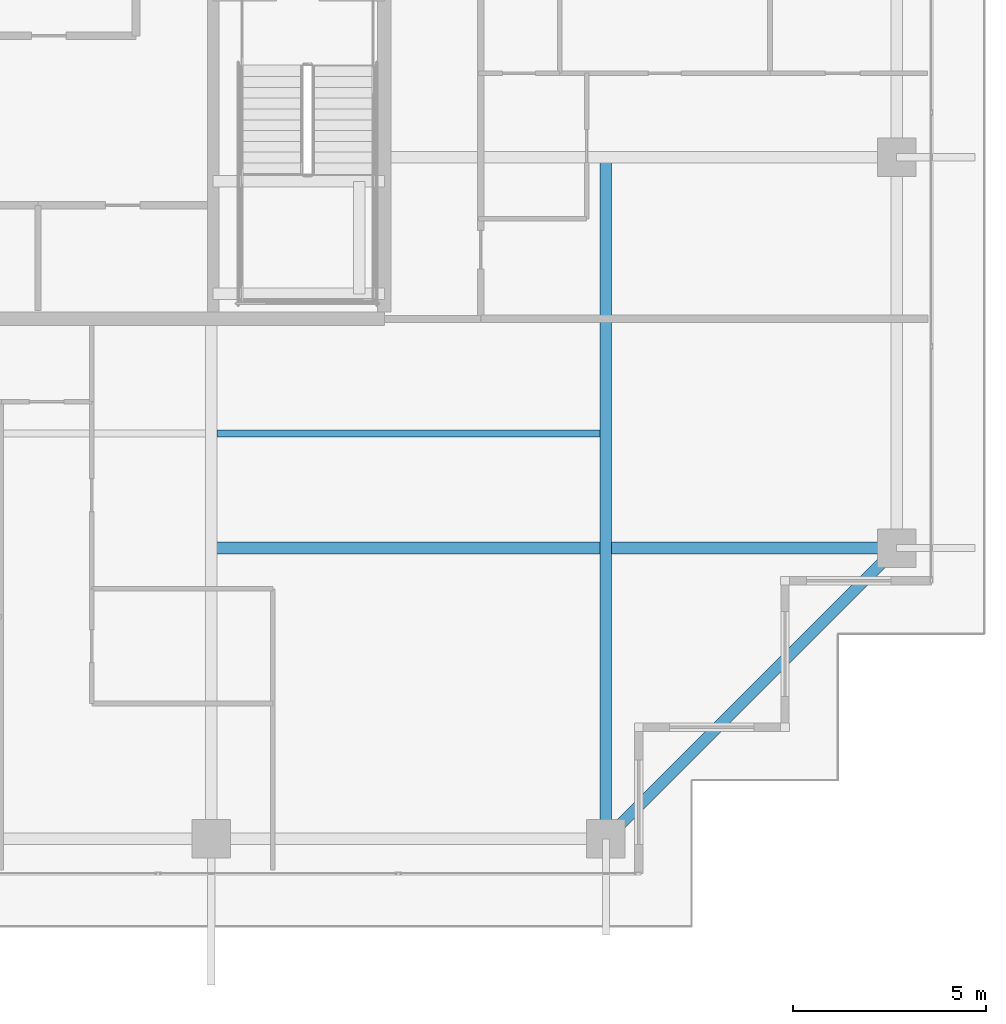
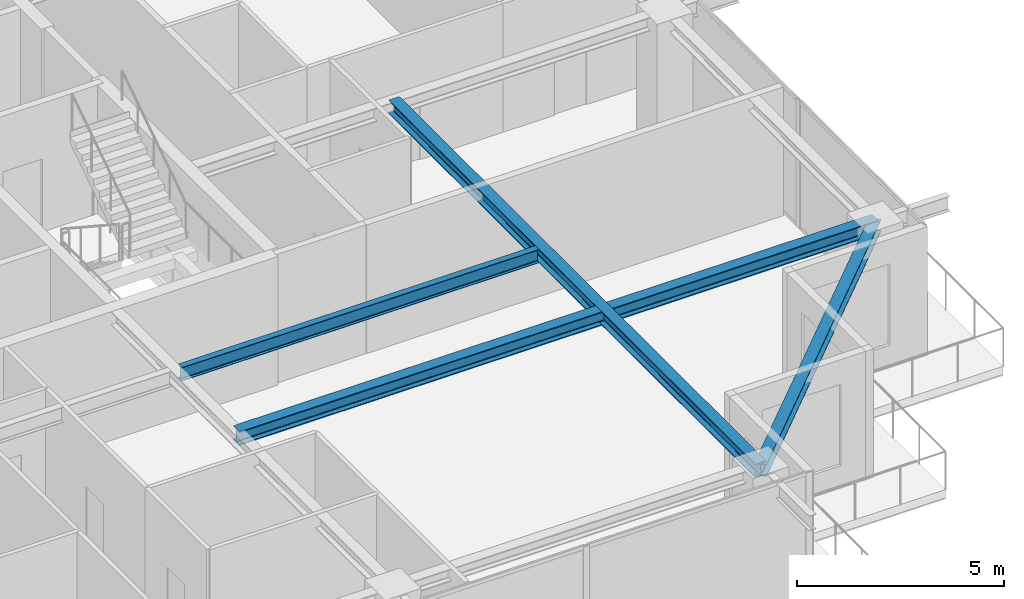
# One storey, part 12 of 37: 4 beams.
"""IFC4 building model written with IfcOpenShell, lengths in metres."""

from ifc_helpers import new_model, si_unit, direction, frame, origin, origin_2d, place, context, subcontext, project, spatial, i_section, extrude, source, transform, mapped, material, material_profile, profile_set, type_object, element, save


model = new_model("IFC4")

# Units and contexts
model_context = context("Model", 3, precision=1e-05, world=origin(), true_north=direction((0.0, 1.0)))
body_context = subcontext(model_context, "Body", "Model", "MODEL_VIEW")
ifc_project = project(units=[si_unit("LENGTHUNIT", "METRE"), si_unit("AREAUNIT", "SQUARE_METRE"), si_unit("VOLUMEUNIT", "CUBIC_METRE"), si_unit("PLANEANGLEUNIT", "RADIAN"), si_unit("MASSUNIT", "GRAM", prefix="KILO")], contexts=[model_context])

# Site, building, storey
site_placement = place(None, origin())
site = spatial("IfcSite", under=ifc_project, at=site_placement, CompositionType="ELEMENT")
building_placement = place(site_placement, origin())
building = spatial("IfcBuilding", under=site, at=building_placement, Name="Serunith Strait Residences", CompositionType="ELEMENT")
storey_placement = place(building_placement, frame((0.0, 0.0, 317.75)))
storey = spatial("IfcBuildingStorey", under=building, at=storey_placement, Name="L79", CompositionType="ELEMENT", Elevation=317.75)

# Beams
ifc_material = material(Name="Steel S355J2", Category="steel")
ifc_material_profile_1 = material_profile(ifc_material, i_section(OverallWidth=0.300048828125, OverallDepth=0.39990234375, WebThickness=0.013427734375, FlangeThickness=0.02392578125, FilletRadius=0.027099609375, at=origin_2d()), Name="HEB 400")
ifc_profile_set_1 = profile_set([ifc_material_profile_1], Name="Steel S355J2")
beam_type_1 = type_object("IfcBeamType", Name="BM-HEB400", PredefinedType="BEAM", material=ifc_profile_set_1)
shared_shape_1 = source(origin(), body_context, "Body", "SweptSolid", [
    extrude(i_section(OverallWidth=0.300048828125, OverallDepth=0.39990234375, WebThickness=0.013427734375, FlangeThickness=0.02392578125, FilletRadius=0.027099609375, at=origin_2d()), origin(), (0.0, 0.0, 1.0), 17.699951171875),
])
beam_1_placement = place(storey_placement, frame((47.14990234375, 21.0, 3.5869140625), z_axis=(0.0, -1.0, 0.0), x_axis=(1.0, 0.0, 0.0)))
element("IfcBeam", 1, at=beam_1_placement, inside=storey, type_object=beam_type_1, Name="L79 Orthogonal Corner Girder TC-S4", PredefinedType="BEAM", context=body_context, shape_type="MappedRepresentation", body=[
    mapped(shared_shape_1, transform((0.0, 0.0, 0.0), scale=1.0)),
])
shared_shape_2 = source(origin(), body_context, "Body", "SweptSolid", [
    extrude(i_section(OverallWidth=0.300048828125, OverallDepth=0.39990234375, WebThickness=0.013427734375, FlangeThickness=0.02392578125, FilletRadius=0.027099609375, at=origin_2d()), origin(), (0.0, 0.0, 1.0), 17.800048828125),
])
beam_2_placement = place(storey_placement, frame((36.89990234375, 10.85009765625, 3.5869140625), z_axis=(1.0, 0.0, 0.0), x_axis=(0.0, 1.0, 0.0)))
element("IfcBeam", 2, at=beam_2_placement, inside=storey, type_object=beam_type_1, Name="L79 Orthogonal Corner Girder TC-E1", PredefinedType="BEAM", context=body_context, shape_type="MappedRepresentation", body=[
    mapped(shared_shape_2, transform((0.0, 0.0, 0.0), scale=1.0)),
])
ifc_material_profile_2 = material_profile(ifc_material, i_section(OverallWidth=0.300048828125, OverallDepth=0.360107421875, WebThickness=0.012451171875, FlangeThickness=0.0224609375, FilletRadius=0.027099609375, at=origin_2d()), Name="HEB 360")
ifc_profile_set_2 = profile_set([ifc_material_profile_2], Name="Steel S355J2")
beam_type_2 = type_object("IfcBeamType", Name="BM-HEB360", PredefinedType="BEAM", material=ifc_profile_set_2)
shared_shape_3 = source(origin(), body_context, "Body", "SweptSolid", [
    extrude(i_section(OverallWidth=0.300048828125, OverallDepth=0.360107421875, WebThickness=0.012451171875, FlangeThickness=0.0224609375, FilletRadius=0.027099609375, at=origin_2d()), origin(), (0.0, 0.0, 1.0), 10.677490234375),
])
beam_3_placement = place(storey_placement, frame((47.14990234375, 3.300048828125, 3.576904296875), z_axis=(0.707106781187, 0.707106781187, 0.0), x_axis=(-0.707106781187, 0.707106781187, 0.0)))
element("IfcBeam", 3, at=beam_3_placement, inside=storey, type_object=beam_type_2, Name="L79 Perimeter Ring Beam 04", PredefinedType="BEAM", context=body_context, shape_type="MappedRepresentation", body=[
    mapped(shared_shape_3, transform((0.0, 0.0, 0.0), scale=1.0)),
])
ifc_material_profile_3 = material_profile(ifc_material, i_section(OverallWidth=0.179931640625, OverallDepth=0.39990234375, WebThickness=0.008544921875, FlangeThickness=0.013427734375, FilletRadius=0.02099609375, at=origin_2d()), Name="IPE 400")
ifc_profile_set_3 = profile_set([ifc_material_profile_3], Name="Steel S355J2")
beam_type_3 = type_object("IfcBeamType", Name="BM-IPE400", PredefinedType="JOIST", material=ifc_profile_set_3)
shared_shape_4 = source(origin(), body_context, "Body", "SweptSolid", [
    extrude(i_section(OverallWidth=0.179931640625, OverallDepth=0.39990234375, WebThickness=0.008544921875, FlangeThickness=0.013427734375, FilletRadius=0.02099609375, at=origin_2d()), origin(), (0.0, 0.0, 1.0), 9.949951171875),
])
beam_4_placement = place(storey_placement, frame((37.050048828125, 13.824951171875, 3.5869140625), z_axis=(1.0, 0.0, 0.0), x_axis=(0.0, 1.0, 0.0)))
element("IfcBeam", 4, at=beam_4_placement, inside=storey, type_object=beam_type_3, Name="L79 Composite Floor Joist 03", PredefinedType="JOIST", context=body_context, shape_type="MappedRepresentation", body=[
    mapped(shared_shape_4, transform((0.0, 0.0, 0.0), scale=1.0)),
])

save(model, "model.ifc")
